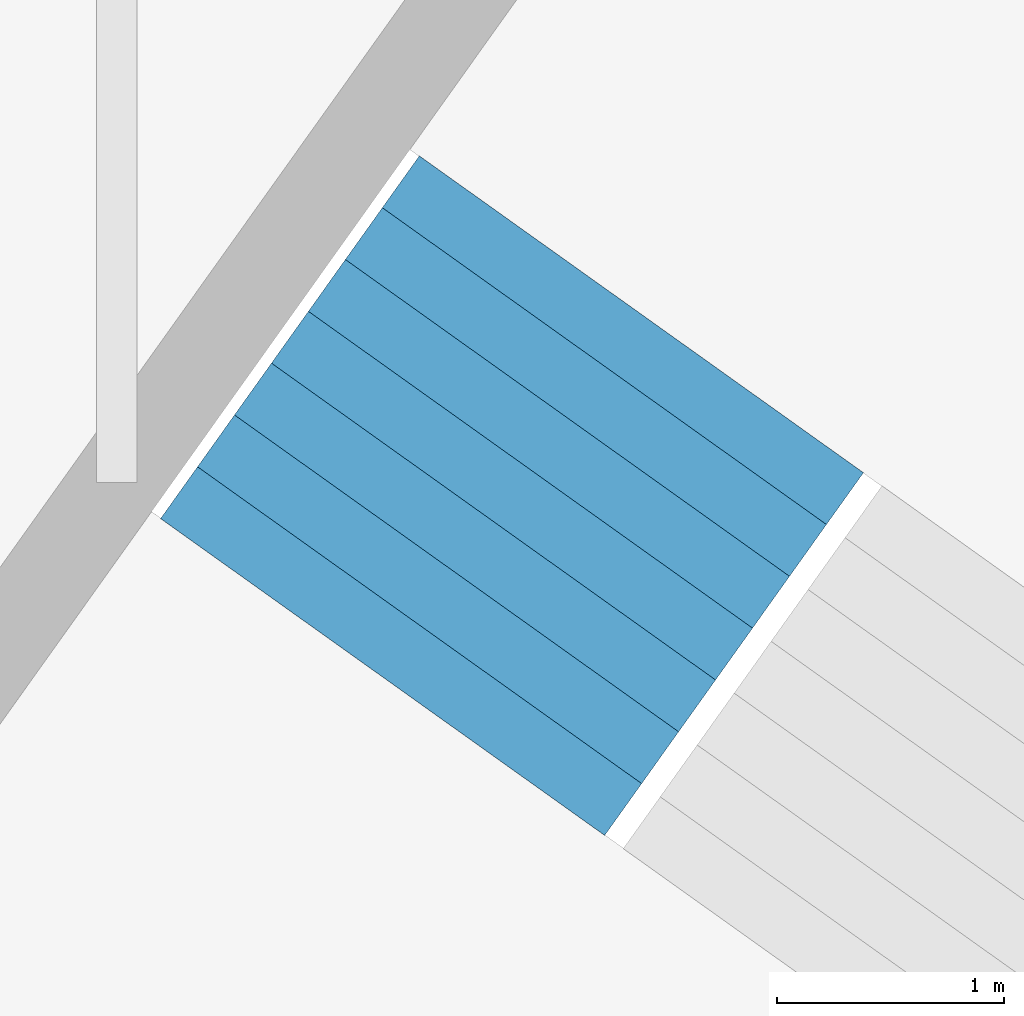
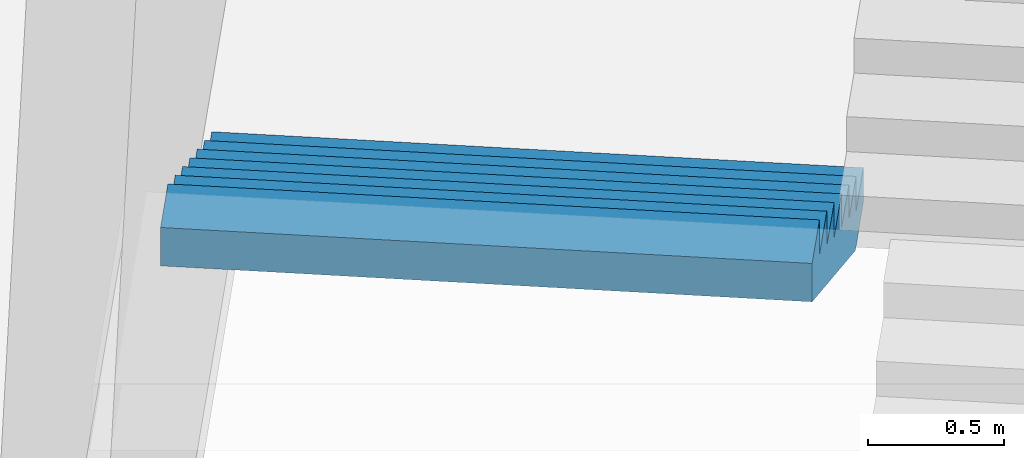
# One storey, part 69 of 73: 1 stair flight, 1 element without a shape of its own.
"""IFC4 building model written with IfcOpenShell, lengths in metres."""

import ifcopenshell
import ifcopenshell.guid

model = None  # the IFC model being written
_history = None  # IfcOwnerHistory: only IFC2X3 demands one
_inside = {}  # id of a spatial element -> (the spatial element, [elements in it])
_under = {}  # id of a project, library or spatial element -> (it, [spatial elements below it])
_declared = {}  # id of a project -> (the project, [libraries it declares])
_typed = {}  # id of a type object -> (the type object, [elements of that type])
_made_of = {}  # id of a material, layer set ... -> (it, [elements and type objects made of it])


def new_model(schema):
    """Start an empty IFC model of exactly this schema.

    Asked for "IFC4X3", IfcOpenShell would pick the latest addendum, in which some entities
    have other attributes; the version numbers below select the first issue.
    IFC2X3 requires an IfcOwnerHistory on every rooted entity: one is made here for all.
    """
    global model, _history
    if schema == "IFC4X3":
        model = ifcopenshell.file(schema_version=(4, 3, 0, 0))
    else:
        model = ifcopenshell.file(schema=schema)
    _inside.clear()
    _under.clear()
    _declared.clear()
    _typed.clear()
    _made_of.clear()
    _history = None
    if model.schema == "IFC2X3":
        org = make("IfcOrganization", Name="unknown")
        user = make(
            "IfcPersonAndOrganization",
            ThePerson=make("IfcPerson", FamilyName="unknown"),
            TheOrganization=org,
        )
        app = make(
            "IfcApplication",
            ApplicationDeveloper=org,
            Version="unknown",
            ApplicationFullName="unknown",
            ApplicationIdentifier="unknown",
        )
        _history = make(
            "IfcOwnerHistory",
            OwningUser=user,
            OwningApplication=app,
            ChangeAction="ADDED",
            CreationDate=0,
        )
    return model


def make(cls, **values):
    """One entity of the class cls with the attributes given. An attribute that is None is left unset."""
    return model.create_entity(
        cls, **{name: value for name, value in values.items() if value is not None}
    )


def rooted(cls, **values):
    """An entity with a GlobalId (a new one), such as an element, a storey or a relation."""
    return make(cls, GlobalId=ifcopenshell.guid.new(), OwnerHistory=_history, **values)


def si_unit(unit_type, name, prefix=None):
    """IfcSIUnit, for example si_unit("LENGTHUNIT", "METRE", prefix="MILLI")."""
    return make("IfcSIUnit", UnitType=unit_type, Prefix=prefix, Name=name)


def assignment(units):
    """IfcUnitAssignment: the units of a project."""
    return None if units is None else make("IfcUnitAssignment", Units=units)


def point(xyz):
    """IfcCartesianPoint."""
    return None if xyz is None else make("IfcCartesianPoint", Coordinates=xyz)


def direction(xyz):
    """IfcDirection."""
    return None if xyz is None else make("IfcDirection", DirectionRatios=xyz)


def frame(location, z_axis=None, x_axis=None):
    """IfcAxis2Placement3D, a coordinate frame: its origin and axes. An axis left out is left unset."""
    return make(
        "IfcAxis2Placement3D",
        Location=point(location),
        Axis=direction(z_axis),
        RefDirection=direction(x_axis),
    )


def origin():
    """The frame at (0, 0, 0) with its axes left unset."""
    return frame((0.0, 0.0, 0.0))


def place(relative_to, where):
    """IfcLocalPlacement: puts the frame where relative to a parent placement (None: the world)."""
    return make(
        "IfcLocalPlacement", PlacementRelTo=relative_to, RelativePlacement=where
    )


def context(
    kind, dimensions, precision=None, world=None, true_north=None, identifier=None
):
    """IfcGeometricRepresentationContext, for example the 3D "Model" context."""
    return make(
        "IfcGeometricRepresentationContext",
        ContextIdentifier=identifier,
        ContextType=kind,
        CoordinateSpaceDimension=dimensions,
        Precision=precision,
        WorldCoordinateSystem=world,
        TrueNorth=true_north,
    )


def subcontext(parent, identifier, kind, view, scale=None):
    """IfcGeometricRepresentationSubContext, for example "Body" below "Model"."""
    return make(
        "IfcGeometricRepresentationSubContext",
        ContextIdentifier=identifier,
        ContextType=kind,
        ParentContext=parent,
        TargetScale=scale,
        TargetView=view,
    )


def project(units=None, contexts=None):
    """IfcProject with its units and contexts."""
    return rooted(
        "IfcProject",
        Name="project",
        RepresentationContexts=contexts,
        UnitsInContext=assignment(units),
    )


def spatial(cls, under=None, at=None, **own):
    """A site, building, storey or space (cls), placed at a placement, below another one or the project."""
    s = rooted(cls, ObjectPlacement=at, **own)
    if under is not None:
        _under.setdefault(under.id(), (under, []))[1].append(s)
    return s


def point_list(points):
    """IfcCartesianPointList2D or 3D."""
    cls = (
        "IfcCartesianPointList2D" if len(points[0]) == 2 else "IfcCartesianPointList3D"
    )
    return make(cls, CoordList=points)


def triangles(points, corners, closed=None, point_numbers=None):
    """IfcTriangulatedFaceSet: each triangle names its three corners, points numbered from 1."""
    return make(
        "IfcTriangulatedFaceSet",
        Coordinates=point_list(points),
        Closed=closed,
        CoordIndex=corners,
        PnIndex=point_numbers,
    )


def shape(context_of_items, identifier, shape_type, items):
    """IfcShapeRepresentation: the items that make up one representation, for example the "Body"."""
    return make(
        "IfcShapeRepresentation",
        ContextOfItems=context_of_items,
        RepresentationIdentifier=identifier,
        RepresentationType=shape_type,
        Items=items,
    )


def material(Name=None, Category=None):
    """IfcMaterial."""
    return make("IfcMaterial", Name=Name, Category=Category)


def made_of(thing, what):
    """Note that an element or type object is made of a material, layer set ...; save() writes the relation."""
    if what is not None:
        _made_of.setdefault(what.id(), (what, []))[1].append(thing)
    return thing


def type_object(cls, material=None, **own):
    """A type object (cls), such as IfcWallType, which elements share."""
    return made_of(rooted(cls, **own), material)


def element(
    cls,
    number,
    at=None,
    inside=None,
    cuts=None,
    type_object=None,
    material=None,
    context=None,
    identifier="Body",
    shape_type=None,
    held_by="IfcProductDefinitionShape",
    body=None,
    shapes=None,
    **own,
):
    """One element of the class cls, such as IfcWall. Its Tag is "e" and its number.

    at: its placement. inside: the storey or other place that contains it. cuts: it is an
    opening in that element (IfcRelVoidsElement). A single representation is given by context,
    identifier, shape_type and body (its items); several are given by shapes. held_by: the class
    of the entity that holds the representations. save() writes the other relations.
    """
    e = rooted(cls, Tag="e%d" % number, ObjectPlacement=at, **own)
    if body is not None:
        shapes = [shape(context, identifier, shape_type, body)]
    if shapes is not None:
        e.Representation = make(held_by, Representations=shapes)
    if inside is not None:
        _inside.setdefault(inside.id(), (inside, []))[1].append(e)
    if cuts is not None:
        rooted(
            "IfcRelVoidsElement", RelatingBuildingElement=cuts, RelatedOpeningElement=e
        )
    if type_object is not None:
        _typed.setdefault(type_object.id(), (type_object, []))[1].append(e)
    return made_of(e, material)


def aggregate(whole, parts):
    """IfcRelAggregates: a whole, such as a stair, and the parts it consists of."""
    return rooted("IfcRelAggregates", RelatingObject=whole, RelatedObjects=parts)


def save(model, path):
    """Write the relations noted so far, then the file.

    IfcRelAggregates (storeys below a building ...), IfcRelContainedInSpatialStructure (elements
    in a storey), IfcRelDefinesByType, IfcRelAssociatesMaterial and IfcRelDeclares: one each for
    every whole, place, type object, material and project.
    """
    for whole, parts in _under.values():
        aggregate(whole, parts)
    for where, things in _inside.values():
        rooted(
            "IfcRelContainedInSpatialStructure",
            RelatedElements=things,
            RelatingStructure=where,
        )
    for kind, things in _typed.values():
        rooted("IfcRelDefinesByType", RelatedObjects=things, RelatingType=kind)
    for what, things in _made_of.values():
        rooted("IfcRelAssociatesMaterial", RelatedObjects=things, RelatingMaterial=what)
    for by, libraries in _declared.values():
        rooted("IfcRelDeclares", RelatingContext=by, RelatedDefinitions=libraries)
    model.write(path)


model = new_model("IFC4")

# Units and contexts
model_context = context("Model", 3, precision=1e-05, world=origin(), true_north=direction((0.0, 1.0)))
body_context = subcontext(model_context, "Body", "Model", "MODEL_VIEW")
ifc_project = project(units=[si_unit("LENGTHUNIT", "METRE"), si_unit("AREAUNIT", "SQUARE_METRE"), si_unit("VOLUMEUNIT", "CUBIC_METRE"), si_unit("PLANEANGLEUNIT", "RADIAN"), si_unit("MASSUNIT", "GRAM", prefix="KILO")], contexts=[model_context])

# Site, building, storey
site_placement = place(None, origin())
site = spatial("IfcSite", under=ifc_project, at=site_placement, CompositionType="ELEMENT")
building_placement = place(site_placement, origin())
building = spatial("IfcBuilding", under=site, at=building_placement, Name="Lantaw Convention Tower", CompositionType="ELEMENT")
storey_placement = place(building_placement, frame((0.0, 0.0, 22.0)))
storey = spatial("IfcBuildingStorey", under=building, at=storey_placement, Name="L03", CompositionType="ELEMENT", Elevation=22.0)

# Stair, stair flight
ifc_material = material(Name="Concrete C35/45", Category="concrete")
stair_type = type_object("IfcStairType", Name="Exit stair 2400 riser 156.25 in 4 flights", PredefinedType="HALF_TURN_STAIR", material=ifc_material)
stair_placement = place(storey_placement, origin())
stair = element("IfcStair", 1, at=stair_placement, inside=storey, type_object=stair_type, Name="Podium exit stair P4 L03", PredefinedType="HALF_TURN_STAIR")
stair_flight_type = type_object("IfcStairFlightType", Name="Stair flight 2400 riser 156.25", PredefinedType="STRAIGHT", material=ifc_material)
stair_flight_placement = place(storey_placement, frame((18.1083984375, 27.53955078125, 1.25), z_axis=(0.0, 0.0, 1.0), x_axis=(-0.580702955711, -0.814115518356, 0.0)))
stair_flight = element("IfcStairFlight", 2, at=stair_flight_placement, type_object=stair_flight_type, Name="P4 flight 2", NumberOfRisers=8, NumberOfTreads=7, PredefinedType="STRAIGHT", RiserHeight=0.15625, TreadLength=0.28, context=body_context, shape_type="Tessellation", body=[
    triangles([(0.0, 1.199951171875, 0.0), (0.0, 1.199951171875, 0.15625), (0.28, 1.199951171875, 0.0), (0.28, 1.199951171875, 0.15625), (0.28, 1.199951171875, 0.3125), (0.3076200632058044, 1.199951171875, 0.0), (0.3076200632058044, 1.199951171875, 0.3125), (0.56, 1.199951171875, 0.14083701830033238), (0.56, 1.199951171875, 0.3125), (0.56, 1.199951171875, 0.46875), (0.8400000000000001, 1.199951171875, 0.29708701830033235), (0.8400000000000001, 1.199951171875, 0.46875), (0.8400000000000001, 1.199951171875, 0.625), (1.12, 1.199951171875, 0.45333701830033235), (1.12, 1.199951171875, 0.625), (1.12, 1.199951171875, 0.78125), (1.4000000000000001, 1.199951171875, 0.6095870183003324), (1.4000000000000001, 1.199951171875, 0.78125), (1.4000000000000001, 1.199951171875, 0.9375), (1.6800000000000002, 1.199951171875, 0.7658370183003324), (1.6800000000000002, 1.199951171875, 0.9375), (1.6800000000000002, 1.199951171875, 1.09375), (1.9600000000000002, 1.199951171875, 0.9220870183003324), (1.9600000000000002, 1.199951171875, 1.09375), (0.0, -1.199951171875, 0.0), (0.0, -1.199951171875, 0.15625), (0.28, -1.199951171875, 0.0), (0.28, -1.199951171875, 0.15625), (0.28, -1.199951171875, 0.3125), (0.3076200632058044, -1.199951171875, 0.0), (0.3076200632058044, -1.199951171875, 0.3125), (0.56, -1.199951171875, 0.14083701830033238), (0.56, -1.199951171875, 0.3125), (0.56, -1.199951171875, 0.46875), (0.8400000000000001, -1.199951171875, 0.29708701830033235), (0.8400000000000001, -1.199951171875, 0.46875), (0.8400000000000001, -1.199951171875, 0.625), (1.12, -1.199951171875, 0.45333701830033235), (1.12, -1.199951171875, 0.625), (1.12, -1.199951171875, 0.78125), (1.4000000000000001, -1.199951171875, 0.6095870183003324), (1.4000000000000001, -1.199951171875, 0.78125), (1.4000000000000001, -1.199951171875, 0.9375), (1.6800000000000002, -1.199951171875, 0.7658370183003324), (1.6800000000000002, -1.199951171875, 0.9375), (1.6800000000000002, -1.199951171875, 1.09375), (1.9600000000000002, -1.199951171875, 0.9220870183003324), (1.9600000000000002, -1.199951171875, 1.09375), (0.0, 0.239990234375, 0.15625), (0.0, 0.239990234375, 0.0), (0.0, 0.1919921875, 0.15625), (0.0, 0.1919921875, 0.0), (0.0, 0.143994140625, 0.15625), (0.0, 0.143994140625, 0.0), (0.0, 0.09599609375, 0.15625), (0.0, 0.09599609375, 0.0), (0.0, 0.047998046875, 0.15625), (0.0, 0.047998046875, 0.0), (0.0, 0.0, 0.15625), (0.0, 0.0, 0.0), (0.0, -0.047998046875, 0.15625), (0.0, -0.047998046875, 0.0), (0.0, -0.09599609375, 0.15625), (0.0, -0.09599609375, 0.0), (0.0, -0.143994140625, 0.15625), (0.0, -0.143994140625, 0.0), (0.0, -0.1919921875, 0.15625), (0.0, -0.1919921875, 0.0), (0.0, -0.239990234375, 0.15625), (0.0, -0.239990234375, 0.0), (0.28, 0.239990234375, 0.3125), (0.28, 0.239990234375, 0.15625), (0.28, 0.1919921875, 0.3125), (0.28, 0.1919921875, 0.15625), (0.28, 0.143994140625, 0.3125), (0.28, 0.143994140625, 0.15625), (0.28, 0.09599609375, 0.3125), (0.28, 0.09599609375, 0.15625), (0.28, 0.047998046875, 0.3125), (0.28, 0.047998046875, 0.15625), (0.28, 0.0, 0.3125), (0.28, 0.0, 0.15625), (0.28, -0.047998046875, 0.3125), (0.28, -0.047998046875, 0.15625), (0.28, -0.09599609375, 0.3125), (0.28, -0.09599609375, 0.15625), (0.28, -0.143994140625, 0.3125), (0.28, -0.143994140625, 0.15625), (0.28, -0.1919921875, 0.3125), (0.28, -0.1919921875, 0.15625), (0.28, -0.239990234375, 0.3125), (0.28, -0.239990234375, 0.15625), (0.56, 0.239990234375, 0.46875), (0.56, 0.239990234375, 0.3125), (0.56, 0.1919921875, 0.46875), (0.56, 0.1919921875, 0.3125), (0.56, 0.143994140625, 0.46875), (0.56, 0.143994140625, 0.3125), (0.56, 0.09599609375, 0.46875), (0.56, 0.09599609375, 0.3125), (0.56, 0.047998046875, 0.46875), (0.56, 0.047998046875, 0.3125), (0.56, 0.0, 0.46875), (0.56, 0.0, 0.3125), (0.56, -0.047998046875, 0.46875), (0.56, -0.047998046875, 0.3125), (0.56, -0.09599609375, 0.46875), (0.56, -0.09599609375, 0.3125), (0.56, -0.143994140625, 0.46875), (0.56, -0.143994140625, 0.3125), (0.56, -0.1919921875, 0.46875), (0.56, -0.1919921875, 0.3125), (0.56, -0.239990234375, 0.46875), (0.56, -0.239990234375, 0.3125), (0.8400000000000001, 0.239990234375, 0.625), (0.8400000000000001, 0.239990234375, 0.46875), (0.8400000000000001, 0.1919921875, 0.625), (0.8400000000000001, 0.1919921875, 0.46875), (0.8400000000000001, 0.143994140625, 0.625), (0.8400000000000001, 0.143994140625, 0.46875), (0.8400000000000001, 0.09599609375, 0.625), (0.8400000000000001, 0.09599609375, 0.46875), (0.8400000000000001, 0.047998046875, 0.625), (0.8400000000000001, 0.047998046875, 0.46875), (0.8400000000000001, 0.0, 0.625), (0.8400000000000001, 0.0, 0.46875), (0.8400000000000001, -0.047998046875, 0.625), (0.8400000000000001, -0.047998046875, 0.46875), (0.8400000000000001, -0.09599609375, 0.625), (0.8400000000000001, -0.09599609375, 0.46875), (0.8400000000000001, -0.143994140625, 0.625), (0.8400000000000001, -0.143994140625, 0.46875), (0.8400000000000001, -0.1919921875, 0.625), (0.8400000000000001, -0.1919921875, 0.46875), (0.8400000000000001, -0.239990234375, 0.625), (0.8400000000000001, -0.239990234375, 0.46875), (1.12, 0.239990234375, 0.78125), (1.12, 0.239990234375, 0.625), (1.12, 0.1919921875, 0.78125), (1.12, 0.1919921875, 0.625), (1.12, 0.143994140625, 0.78125), (1.12, 0.143994140625, 0.625), (1.12, 0.09599609375, 0.78125), (1.12, 0.09599609375, 0.625), (1.12, 0.047998046875, 0.78125), (1.12, 0.047998046875, 0.625), (1.12, 0.0, 0.78125), (1.12, 0.0, 0.625), (1.12, -0.047998046875, 0.78125), (1.12, -0.047998046875, 0.625), (1.12, -0.09599609375, 0.78125), (1.12, -0.09599609375, 0.625), (1.12, -0.143994140625, 0.78125), (1.12, -0.143994140625, 0.625), (1.12, -0.1919921875, 0.78125), (1.12, -0.1919921875, 0.625), (1.12, -0.239990234375, 0.78125), (1.12, -0.239990234375, 0.625), (1.4000000000000001, 0.239990234375, 0.9375), (1.4000000000000001, 0.239990234375, 0.78125), (1.4000000000000001, 0.1919921875, 0.9375), (1.4000000000000001, 0.1919921875, 0.78125), (1.4000000000000001, 0.143994140625, 0.9375), (1.4000000000000001, 0.143994140625, 0.78125), (1.4000000000000001, 0.09599609375, 0.9375), (1.4000000000000001, 0.09599609375, 0.78125), (1.4000000000000001, 0.047998046875, 0.9375), (1.4000000000000001, 0.047998046875, 0.78125), (1.4000000000000001, 0.0, 0.9375), (1.4000000000000001, 0.0, 0.78125), (1.4000000000000001, -0.047998046875, 0.9375), (1.4000000000000001, -0.047998046875, 0.78125), (1.4000000000000001, -0.09599609375, 0.9375), (1.4000000000000001, -0.09599609375, 0.78125), (1.4000000000000001, -0.143994140625, 0.9375), (1.4000000000000001, -0.143994140625, 0.78125), (1.4000000000000001, -0.1919921875, 0.9375), (1.4000000000000001, -0.1919921875, 0.78125), (1.4000000000000001, -0.239990234375, 0.9375), (1.4000000000000001, -0.239990234375, 0.78125), (1.6800000000000002, 0.239990234375, 1.09375), (1.6800000000000002, 0.239990234375, 0.9375), (1.6800000000000002, 0.1919921875, 1.09375), (1.6800000000000002, 0.1919921875, 0.9375), (1.6800000000000002, 0.143994140625, 1.09375), (1.6800000000000002, 0.143994140625, 0.9375), (1.6800000000000002, 0.09599609375, 1.09375), (1.6800000000000002, 0.09599609375, 0.9375), (1.6800000000000002, 0.047998046875, 1.09375), (1.6800000000000002, 0.047998046875, 0.9375), (1.6800000000000002, 0.0, 1.09375), (1.6800000000000002, 0.0, 0.9375), (1.6800000000000002, -0.047998046875, 1.09375), (1.6800000000000002, -0.047998046875, 0.9375), (1.6800000000000002, -0.09599609375, 1.09375), (1.6800000000000002, -0.09599609375, 0.9375), (1.6800000000000002, -0.143994140625, 1.09375), (1.6800000000000002, -0.143994140625, 0.9375), (1.6800000000000002, -0.1919921875, 1.09375), (1.6800000000000002, -0.1919921875, 0.9375), (1.6800000000000002, -0.239990234375, 1.09375), (1.6800000000000002, -0.239990234375, 0.9375), (0.3076200632058044, 0.239990234375, 0.3125), (0.3076200632058044, 0.1919921875, 0.3125), (0.3076200632058044, 0.143994140625, 0.3125), (0.3076200632058044, 0.09599609375, 0.3125), (0.3076200632058044, 0.047998046875, 0.3125), (0.3076200632058044, 0.0, 0.3125), (0.3076200632058044, -0.047998046875, 0.3125), (0.3076200632058044, -0.09599609375, 0.3125), (0.3076200632058044, -0.143994140625, 0.3125), (0.3076200632058044, -0.1919921875, 0.3125), (0.3076200632058044, -0.239990234375, 0.3125), (1.9600000000000002, 0.239990234375, 1.09375), (1.9600000000000002, 0.1919921875, 1.09375), (1.9600000000000002, 0.143994140625, 1.09375), (1.9600000000000002, 0.09599609375, 1.09375), (1.9600000000000002, 0.047998046875, 1.09375), (1.9600000000000002, 0.0, 1.09375), (1.9600000000000002, -0.047998046875, 1.09375), (1.9600000000000002, -0.09599609375, 1.09375), (1.9600000000000002, -0.143994140625, 1.09375), (1.9600000000000002, -0.1919921875, 1.09375), (1.9600000000000002, -0.239990234375, 1.09375), (1.9600000000000002, 0.239990234375, 0.9220870183003324), (1.9600000000000002, 0.1919921875, 0.9220870183003324), (1.9600000000000002, 0.143994140625, 0.9220870183003324), (1.9600000000000002, 0.09599609375, 0.9220870183003324), (1.9600000000000002, 0.047998046875, 0.9220870183003324), (1.9600000000000002, 0.0, 0.9220870183003324), (1.9600000000000002, -0.047998046875, 0.9220870183003324), (1.9600000000000002, -0.09599609375, 0.9220870183003324), (1.9600000000000002, -0.143994140625, 0.9220870183003324), (1.9600000000000002, -0.1919921875, 0.9220870183003324), (1.9600000000000002, -0.239990234375, 0.9220870183003324), (1.6800000000000002, 0.239990234375, 0.7658370183003324), (1.6800000000000002, 0.1919921875, 0.7658370183003324), (1.6800000000000002, 0.143994140625, 0.7658370183003324), (1.6800000000000002, 0.09599609375, 0.7658370183003324), (1.6800000000000002, 0.047998046875, 0.7658370183003324), (1.6800000000000002, 0.0, 0.7658370183003324), (1.6800000000000002, -0.047998046875, 0.7658370183003324), (1.6800000000000002, -0.09599609375, 0.7658370183003324), (1.6800000000000002, -0.143994140625, 0.7658370183003324), (1.6800000000000002, -0.1919921875, 0.7658370183003324), (1.6800000000000002, -0.239990234375, 0.7658370183003324), (1.4000000000000001, 0.239990234375, 0.6095870183003324), (1.4000000000000001, 0.1919921875, 0.6095870183003324), (1.4000000000000001, 0.143994140625, 0.6095870183003324), (1.4000000000000001, 0.09599609375, 0.6095870183003324), (1.4000000000000001, 0.047998046875, 0.6095870183003324), (1.4000000000000001, 0.0, 0.6095870183003324), (1.4000000000000001, -0.047998046875, 0.6095870183003324), (1.4000000000000001, -0.09599609375, 0.6095870183003324), (1.4000000000000001, -0.143994140625, 0.6095870183003324), (1.4000000000000001, -0.1919921875, 0.6095870183003324), (1.4000000000000001, -0.239990234375, 0.6095870183003324), (1.12, 0.239990234375, 0.45333701830033235), (1.12, 0.1919921875, 0.45333701830033235), (1.12, 0.143994140625, 0.45333701830033235), (1.12, 0.09599609375, 0.45333701830033235), (1.12, 0.047998046875, 0.45333701830033235), (1.12, 0.0, 0.45333701830033235), (1.12, -0.047998046875, 0.45333701830033235), (1.12, -0.09599609375, 0.45333701830033235), (1.12, -0.143994140625, 0.45333701830033235), (1.12, -0.1919921875, 0.45333701830033235), (1.12, -0.239990234375, 0.45333701830033235), (0.8400000000000001, 0.239990234375, 0.29708701830033235), (0.8400000000000001, 0.1919921875, 0.29708701830033235), (0.8400000000000001, 0.143994140625, 0.29708701830033235), (0.8400000000000001, 0.09599609375, 0.29708701830033235), (0.8400000000000001, 0.047998046875, 0.29708701830033235), (0.8400000000000001, 0.0, 0.29708701830033235), (0.8400000000000001, -0.047998046875, 0.29708701830033235), (0.8400000000000001, -0.09599609375, 0.29708701830033235), (0.8400000000000001, -0.143994140625, 0.29708701830033235), (0.8400000000000001, -0.1919921875, 0.29708701830033235), (0.8400000000000001, -0.239990234375, 0.29708701830033235), (0.56, 0.239990234375, 0.14083701830033238), (0.56, 0.1919921875, 0.14083701830033238), (0.56, 0.143994140625, 0.14083701830033238), (0.56, 0.09599609375, 0.14083701830033238), (0.56, 0.047998046875, 0.14083701830033238), (0.56, 0.0, 0.14083701830033238), (0.56, -0.047998046875, 0.14083701830033238), (0.56, -0.09599609375, 0.14083701830033238), (0.56, -0.143994140625, 0.14083701830033238), (0.56, -0.1919921875, 0.14083701830033238), (0.56, -0.239990234375, 0.14083701830033238), (0.3076200632058044, 0.239990234375, 0.0), (0.3076200632058044, 0.1919921875, 0.0), (0.3076200632058044, 0.143994140625, 0.0), (0.3076200632058044, 0.09599609375, 0.0), (0.3076200632058044, 0.047998046875, 0.0), (0.3076200632058044, 0.0, 0.0), (0.3076200632058044, -0.047998046875, 0.0), (0.3076200632058044, -0.09599609375, 0.0), (0.3076200632058044, -0.143994140625, 0.0), (0.3076200632058044, -0.1919921875, 0.0), (0.3076200632058044, -0.239990234375, 0.0), (0.28, 0.239990234375, 0.0), (0.28, 0.1919921875, 0.0), (0.28, 0.143994140625, 0.0), (0.28, 0.09599609375, 0.0), (0.28, 0.047998046875, 0.0), (0.28, 0.0, 0.0), (0.28, -0.047998046875, 0.0), (0.28, -0.09599609375, 0.0), (0.28, -0.143994140625, 0.0), (0.28, -0.1919921875, 0.0), (0.28, -0.239990234375, 0.0)], [[1, 4, 3], [1, 2, 4], [3, 4, 6], [4, 7, 6], [4, 5, 7], [6, 9, 8], [6, 7, 9], [8, 9, 11], [9, 12, 11], [9, 10, 12], [11, 12, 14], [12, 15, 14], [12, 13, 15], [14, 15, 17], [15, 18, 17], [15, 16, 18], [17, 18, 20], [18, 21, 20], [18, 19, 21], [20, 21, 23], [21, 24, 23], [21, 22, 24], [25, 27, 28], [25, 28, 26], [27, 30, 28], [28, 30, 31], [28, 31, 29], [30, 32, 33], [30, 33, 31], [32, 35, 33], [33, 35, 36], [33, 36, 34], [35, 38, 36], [36, 38, 39], [36, 39, 37], [38, 41, 39], [39, 41, 42], [39, 42, 40], [41, 44, 42], [42, 44, 45], [42, 45, 43], [44, 47, 45], [45, 47, 48], [45, 48, 46], [1, 49, 2], [1, 50, 49], [50, 51, 49], [50, 52, 51], [52, 53, 51], [52, 54, 53], [54, 55, 53], [54, 56, 55], [56, 57, 55], [56, 58, 57], [58, 59, 57], [58, 60, 59], [60, 61, 59], [60, 62, 61], [62, 63, 61], [62, 64, 63], [64, 65, 63], [64, 66, 65], [66, 67, 65], [66, 68, 67], [68, 69, 67], [68, 70, 69], [70, 26, 69], [70, 25, 26], [4, 71, 5], [4, 72, 71], [72, 73, 71], [72, 74, 73], [74, 75, 73], [74, 76, 75], [76, 77, 75], [76, 78, 77], [78, 79, 77], [78, 80, 79], [80, 81, 79], [80, 82, 81], [82, 83, 81], [82, 84, 83], [84, 85, 83], [84, 86, 85], [86, 87, 85], [86, 88, 87], [88, 89, 87], [88, 90, 89], [90, 91, 89], [90, 92, 91], [92, 29, 91], [92, 28, 29], [9, 93, 10], [9, 94, 93], [94, 95, 93], [94, 96, 95], [96, 97, 95], [96, 98, 97], [98, 99, 97], [98, 100, 99], [100, 101, 99], [100, 102, 101], [102, 103, 101], [102, 104, 103], [104, 105, 103], [104, 106, 105], [106, 107, 105], [106, 108, 107], [108, 109, 107], [108, 110, 109], [110, 111, 109], [110, 112, 111], [112, 113, 111], [112, 114, 113], [114, 34, 113], [114, 33, 34], [12, 115, 13], [12, 116, 115], [116, 117, 115], [116, 118, 117], [118, 119, 117], [118, 120, 119], [120, 121, 119], [120, 122, 121], [122, 123, 121], [122, 124, 123], [124, 125, 123], [124, 126, 125], [126, 127, 125], [126, 128, 127], [128, 129, 127], [128, 130, 129], [130, 131, 129], [130, 132, 131], [132, 133, 131], [132, 134, 133], [134, 135, 133], [134, 136, 135], [136, 37, 135], [136, 36, 37], [15, 137, 16], [15, 138, 137], [138, 139, 137], [138, 140, 139], [140, 141, 139], [140, 142, 141], [142, 143, 141], [142, 144, 143], [144, 145, 143], [144, 146, 145], [146, 147, 145], [146, 148, 147], [148, 149, 147], [148, 150, 149], [150, 151, 149], [150, 152, 151], [152, 153, 151], [152, 154, 153], [154, 155, 153], [154, 156, 155], [156, 157, 155], [156, 158, 157], [158, 40, 157], [158, 39, 40], [18, 159, 19], [18, 160, 159], [160, 161, 159], [160, 162, 161], [162, 163, 161], [162, 164, 163], [164, 165, 163], [164, 166, 165], [166, 167, 165], [166, 168, 167], [168, 169, 167], [168, 170, 169], [170, 171, 169], [170, 172, 171], [172, 173, 171], [172, 174, 173], [174, 175, 173], [174, 176, 175], [176, 177, 175], [176, 178, 177], [178, 179, 177], [178, 180, 179], [180, 43, 179], [180, 42, 43], [21, 181, 22], [21, 182, 181], [182, 183, 181], [182, 184, 183], [184, 185, 183], [184, 186, 185], [186, 187, 185], [186, 188, 187], [188, 189, 187], [188, 190, 189], [190, 191, 189], [190, 192, 191], [192, 193, 191], [192, 194, 193], [194, 195, 193], [194, 196, 195], [196, 197, 195], [196, 198, 197], [198, 199, 197], [198, 200, 199], [200, 201, 199], [200, 202, 201], [202, 46, 201], [202, 45, 46], [2, 72, 4], [2, 49, 72], [49, 74, 72], [49, 51, 74], [51, 76, 74], [51, 53, 76], [53, 78, 76], [53, 55, 78], [55, 80, 78], [55, 57, 80], [57, 82, 80], [57, 59, 82], [59, 84, 82], [59, 61, 84], [61, 86, 84], [61, 63, 86], [63, 88, 86], [63, 65, 88], [65, 90, 88], [65, 67, 90], [67, 92, 90], [67, 69, 92], [69, 28, 92], [69, 26, 28], [5, 203, 7], [5, 71, 203], [71, 204, 203], [71, 73, 204], [73, 205, 204], [73, 75, 205], [75, 206, 205], [75, 77, 206], [77, 207, 206], [77, 79, 207], [79, 208, 207], [79, 81, 208], [81, 209, 208], [81, 83, 209], [83, 210, 209], [83, 85, 210], [85, 211, 210], [85, 87, 211], [87, 212, 211], [87, 89, 212], [89, 213, 212], [89, 91, 213], [91, 31, 213], [91, 29, 31], [7, 94, 9], [7, 203, 94], [203, 96, 94], [203, 204, 96], [204, 98, 96], [204, 205, 98], [205, 100, 98], [205, 206, 100], [206, 102, 100], [206, 207, 102], [207, 104, 102], [207, 208, 104], [208, 106, 104], [208, 209, 106], [209, 108, 106], [209, 210, 108], [210, 110, 108], [210, 211, 110], [211, 112, 110], [211, 212, 112], [212, 114, 112], [212, 213, 114], [213, 33, 114], [213, 31, 33], [10, 116, 12], [10, 93, 116], [93, 118, 116], [93, 95, 118], [95, 120, 118], [95, 97, 120], [97, 122, 120], [97, 99, 122], [99, 124, 122], [99, 101, 124], [101, 126, 124], [101, 103, 126], [103, 128, 126], [103, 105, 128], [105, 130, 128], [105, 107, 130], [107, 132, 130], [107, 109, 132], [109, 134, 132], [109, 111, 134], [111, 136, 134], [111, 113, 136], [113, 36, 136], [113, 34, 36], [13, 138, 15], [13, 115, 138], [115, 140, 138], [115, 117, 140], [117, 142, 140], [117, 119, 142], [119, 144, 142], [119, 121, 144], [121, 146, 144], [121, 123, 146], [123, 148, 146], [123, 125, 148], [125, 150, 148], [125, 127, 150], [127, 152, 150], [127, 129, 152], [129, 154, 152], [129, 131, 154], [131, 156, 154], [131, 133, 156], [133, 158, 156], [133, 135, 158], [135, 39, 158], [135, 37, 39], [16, 160, 18], [16, 137, 160], [137, 162, 160], [137, 139, 162], [139, 164, 162], [139, 141, 164], [141, 166, 164], [141, 143, 166], [143, 168, 166], [143, 145, 168], [145, 170, 168], [145, 147, 170], [147, 172, 170], [147, 149, 172], [149, 174, 172], [149, 151, 174], [151, 176, 174], [151, 153, 176], [153, 178, 176], [153, 155, 178], [155, 180, 178], [155, 157, 180], [157, 42, 180], [157, 40, 42], [19, 182, 21], [19, 159, 182], [159, 184, 182], [159, 161, 184], [161, 186, 184], [161, 163, 186], [163, 188, 186], [163, 165, 188], [165, 190, 188], [165, 167, 190], [167, 192, 190], [167, 169, 192], [169, 194, 192], [169, 171, 194], [171, 196, 194], [171, 173, 196], [173, 198, 196], [173, 175, 198], [175, 200, 198], [175, 177, 200], [177, 202, 200], [177, 179, 202], [179, 45, 202], [179, 43, 45], [22, 214, 24], [22, 181, 214], [181, 215, 214], [181, 183, 215], [183, 216, 215], [183, 185, 216], [185, 217, 216], [185, 187, 217], [187, 218, 217], [187, 189, 218], [189, 219, 218], [189, 191, 219], [191, 220, 219], [191, 193, 220], [193, 221, 220], [193, 195, 221], [195, 222, 221], [195, 197, 222], [197, 223, 222], [197, 199, 223], [199, 224, 223], [199, 201, 224], [201, 48, 224], [201, 46, 48], [24, 225, 23], [24, 214, 225], [214, 226, 225], [214, 215, 226], [215, 227, 226], [215, 216, 227], [216, 228, 227], [216, 217, 228], [217, 229, 228], [217, 218, 229], [218, 230, 229], [218, 219, 230], [219, 231, 230], [219, 220, 231], [220, 232, 231], [220, 221, 232], [221, 233, 232], [221, 222, 233], [222, 234, 233], [222, 223, 234], [223, 235, 234], [223, 224, 235], [224, 47, 235], [224, 48, 47], [23, 236, 20], [23, 225, 236], [225, 237, 236], [225, 226, 237], [226, 238, 237], [226, 227, 238], [227, 239, 238], [227, 228, 239], [228, 240, 239], [228, 229, 240], [229, 241, 240], [229, 230, 241], [230, 242, 241], [230, 231, 242], [231, 243, 242], [231, 232, 243], [232, 244, 243], [232, 233, 244], [233, 245, 244], [233, 234, 245], [234, 246, 245], [234, 235, 246], [235, 44, 246], [235, 47, 44], [20, 247, 17], [20, 236, 247], [236, 248, 247], [236, 237, 248], [237, 249, 248], [237, 238, 249], [238, 250, 249], [238, 239, 250], [239, 251, 250], [239, 240, 251], [240, 252, 251], [240, 241, 252], [241, 253, 252], [241, 242, 253], [242, 254, 253], [242, 243, 254], [243, 255, 254], [243, 244, 255], [244, 256, 255], [244, 245, 256], [245, 257, 256], [245, 246, 257], [246, 41, 257], [246, 44, 41], [17, 258, 14], [17, 247, 258], [247, 259, 258], [247, 248, 259], [248, 260, 259], [248, 249, 260], [249, 261, 260], [249, 250, 261], [250, 262, 261], [250, 251, 262], [251, 263, 262], [251, 252, 263], [252, 264, 263], [252, 253, 264], [253, 265, 264], [253, 254, 265], [254, 266, 265], [254, 255, 266], [255, 267, 266], [255, 256, 267], [256, 268, 267], [256, 257, 268], [257, 38, 268], [257, 41, 38], [14, 269, 11], [14, 258, 269], [258, 270, 269], [258, 259, 270], [259, 271, 270], [259, 260, 271], [260, 272, 271], [260, 261, 272], [261, 273, 272], [261, 262, 273], [262, 274, 273], [262, 263, 274], [263, 275, 274], [263, 264, 275], [264, 276, 275], [264, 265, 276], [265, 277, 276], [265, 266, 277], [266, 278, 277], [266, 267, 278], [267, 279, 278], [267, 268, 279], [268, 35, 279], [268, 38, 35], [11, 280, 8], [11, 269, 280], [269, 281, 280], [269, 270, 281], [270, 282, 281], [270, 271, 282], [271, 283, 282], [271, 272, 283], [272, 284, 283], [272, 273, 284], [273, 285, 284], [273, 274, 285], [274, 286, 285], [274, 275, 286], [275, 287, 286], [275, 276, 287], [276, 288, 287], [276, 277, 288], [277, 289, 288], [277, 278, 289], [278, 290, 289], [278, 279, 290], [279, 32, 290], [279, 35, 32], [8, 291, 6], [8, 280, 291], [280, 292, 291], [280, 281, 292], [281, 293, 292], [281, 282, 293], [282, 294, 293], [282, 283, 294], [283, 295, 294], [283, 284, 295], [284, 296, 295], [284, 285, 296], [285, 297, 296], [285, 286, 297], [286, 298, 297], [286, 287, 298], [287, 299, 298], [287, 288, 299], [288, 300, 299], [288, 289, 300], [289, 301, 300], [289, 290, 301], [290, 30, 301], [290, 32, 30], [6, 302, 3], [6, 291, 302], [291, 303, 302], [291, 292, 303], [292, 304, 303], [292, 293, 304], [293, 305, 304], [293, 294, 305], [294, 306, 305], [294, 295, 306], [295, 307, 306], [295, 296, 307], [296, 308, 307], [296, 297, 308], [297, 309, 308], [297, 298, 309], [298, 310, 309], [298, 299, 310], [299, 311, 310], [299, 300, 311], [300, 312, 311], [300, 301, 312], [301, 27, 312], [301, 30, 27], [3, 50, 1], [3, 302, 50], [302, 52, 50], [302, 303, 52], [303, 54, 52], [303, 304, 54], [304, 56, 54], [304, 305, 56], [305, 58, 56], [305, 306, 58], [306, 60, 58], [306, 307, 60], [307, 62, 60], [307, 308, 62], [308, 64, 62], [308, 309, 64], [309, 66, 64], [309, 310, 66], [310, 68, 66], [310, 311, 68], [311, 70, 68], [311, 312, 70], [312, 25, 70], [312, 27, 25]], closed=True),
])
aggregate(stair, [stair_flight])

save(model, "model.ifc")
